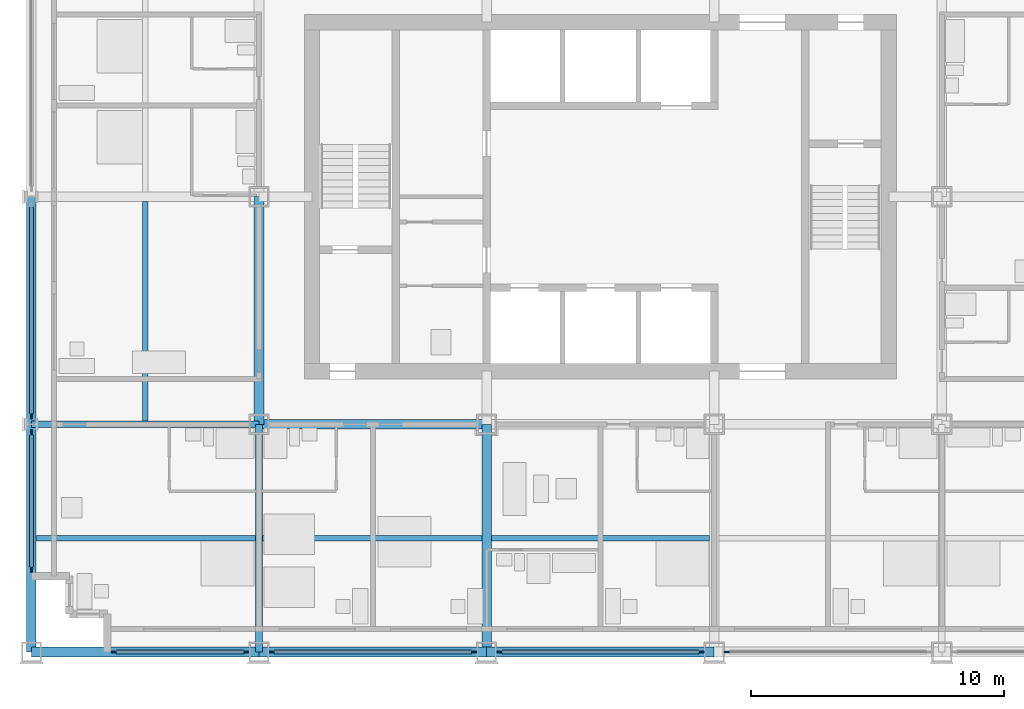
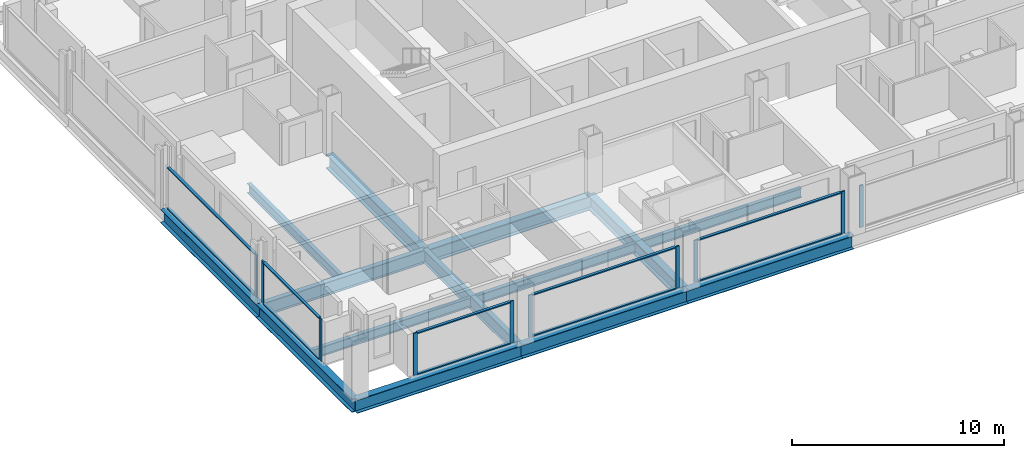
# One storey, part 2 of 16: 20 members, 14 beams, 6 elements without a shape of their own.
"""IFC4 building model written with IfcOpenShell, lengths in metres."""

from ifc_helpers import new_model, si_unit, direction, frame, origin, origin_2d, place, context, subcontext, project, spatial, rectangle, i_section, extrude, material, material_profile, profile_set, type_object, element, aggregate, save


model = new_model("IFC4")

# Units and contexts
model_context = context("Model", 3, precision=1e-05, world=origin(), true_north=direction((0.0, 1.0)))
body_context = subcontext(model_context, "Body", "Model", "MODEL_VIEW")
ifc_project = project(units=[si_unit("LENGTHUNIT", "METRE"), si_unit("AREAUNIT", "SQUARE_METRE"), si_unit("VOLUMEUNIT", "CUBIC_METRE"), si_unit("PLANEANGLEUNIT", "RADIAN"), si_unit("MASSUNIT", "GRAM", prefix="KILO")], contexts=[model_context])

# Site, building, storey
site_placement = place(None, origin())
site = spatial("IfcSite", under=ifc_project, at=site_placement, CompositionType="ELEMENT")
building_placement = place(site_placement, origin())
building = spatial("IfcBuilding", under=site, at=building_placement, Name="Loomwork Tower", CompositionType="ELEMENT")
storey_placement = place(building_placement, frame((0.0, 0.0, 124.800048828125)))
storey = spatial("IfcBuildingStorey", under=building, at=storey_placement, Name="L33", CompositionType="ELEMENT", Elevation=124.800048828125)

# Beams
ifc_material_1 = material(Name="Steel ASTM A992", Category="steel")
ifc_material_profile_1 = material_profile(ifc_material_1, i_section(OverallWidth=0.383544921875, OverallDepth=0.794921875, WebThickness=0.02099609375, FlangeThickness=0.0380859375, at=origin_2d()), Name="W30x235")
ifc_profile_set_1 = profile_set([ifc_material_profile_1], Name="Steel ASTM A992")
beam_type_1 = type_object("IfcBeamType", Name="CORE FLANK GIRDER W30x235", PredefinedType="BEAM", material=ifc_profile_set_1)
for number, where, z_axis, x_axis, name in (
    (1, (9.0, 9.0, -0.59765625), (1.0, 0.0, 0.0), (0.0, 1.0, 0.0), "Core Flank Girder E/3-E/4 L33"),
    (2, (9.0, 9.0, -0.59765625), (0.0, 1.0, 0.0), (-1.0, 0.0, 0.0), "Core Flank Girder E/3-F/3 L33"),
    (3, (18.0, 0.0, -0.59765625), (0.0, 1.0, 0.0), (-1.0, 0.0, 0.0), "Core Flank Girder D/4-E/4 L33"),
):
    element("IfcBeam", number, at=place(storey_placement, frame(where, z_axis=z_axis, x_axis=x_axis)), inside=storey, type_object=beam_type_1, Name=name, PredefinedType="BEAM", context=body_context, shape_type="SweptSolid", body=[
        extrude(i_section(OverallWidth=0.383544921875, OverallDepth=0.794921875, WebThickness=0.02099609375, FlangeThickness=0.0380859375, at=origin_2d()), origin(), (0.0, 0.0, 1.0), 9.0),
    ])
ifc_material_2 = material(Name="Steel ASTM A992", Category="steel")
ifc_material_profile_2 = material_profile(ifc_material_2, i_section(OverallWidth=0.2666015625, OverallDepth=0.761962890625, WebThickness=0.014404296875, FlangeThickness=0.021484375, at=origin_2d()), Name="W30x116")
ifc_profile_set_2 = profile_set([ifc_material_profile_2], Name="Steel ASTM A992")
beam_type_2 = type_object("IfcBeamType", Name="FLOOR GIRDER W30x116", PredefinedType="BEAM", material=ifc_profile_set_2)
for number, where, z_axis, x_axis, name in (
    (4, (0.0, 9.0, -0.5810546875), (1.0, 0.0, 0.0), (0.0, 1.0, 0.0), "Floor Girder E/2-E/3 L33"),
    (5, (9.0, 0.0, -0.5810546875), (0.0, 1.0, 0.0), (-1.0, 0.0, 0.0), "Floor Girder D/3-E/3 L33"),
):
    element("IfcBeam", number, at=place(storey_placement, frame(where, z_axis=z_axis, x_axis=x_axis)), inside=storey, type_object=beam_type_2, Name=name, PredefinedType="BEAM", context=body_context, shape_type="SweptSolid", body=[
        extrude(i_section(OverallWidth=0.2666015625, OverallDepth=0.761962890625, WebThickness=0.014404296875, FlangeThickness=0.021484375, at=origin_2d()), origin(), (0.0, 0.0, 1.0), 9.0),
    ])
ifc_material_3 = material(Name="Steel ASTM A992", Category="steel")
ifc_material_profile_3 = material_profile(ifc_material_3, i_section(OverallWidth=0.2109375, OverallDepth=0.53857421875, WebThickness=0.011474609375, FlangeThickness=0.018798828125, at=origin_2d()), Name="W21x73")
ifc_profile_set_3 = profile_set([ifc_material_profile_3], Name="Steel ASTM A992")
beam_type_3 = type_object("IfcBeamType", Name="FLOOR JOIST W21x73", PredefinedType="JOIST", material=ifc_profile_set_3)
beam_1_placement = place(storey_placement, frame((0.18994140625, 4.5, -0.46923828125), z_axis=(1.0, 0.0, 0.0), x_axis=(0.0, 1.0, 0.0)))
element("IfcBeam", 6, at=beam_1_placement, inside=storey, type_object=beam_type_3, Name="Floor Joist 0.000,4.500-9.000,4.500 L33", PredefinedType="JOIST", context=body_context, shape_type="SweptSolid", body=[
    extrude(i_section(OverallWidth=0.2109375, OverallDepth=0.53857421875, WebThickness=0.011474609375, FlangeThickness=0.018798828125, at=origin_2d()), origin(), (0.0, 0.0, 1.0), 8.677001953125),
])
for number, where, z_axis, x_axis, name in (
    (7, (4.5, 9.133056640625, -0.46923828125), (0.0, 1.0, 0.0), (-1.0, 0.0, 0.0), "Floor Joist 4.500,9.000-4.500,18.000 L33"),
    (8, (9.133056640625, 4.5, -0.46923828125), (1.0, 0.0, 0.0), (0.0, 1.0, 0.0), "Floor Joist 9.000,4.500-18.000,4.500 L33"),
):
    element("IfcBeam", number, at=place(storey_placement, frame(where, z_axis=z_axis, x_axis=x_axis)), inside=storey, type_object=beam_type_3, Name=name, PredefinedType="JOIST", context=body_context, shape_type="SweptSolid", body=[
        extrude(i_section(OverallWidth=0.2109375, OverallDepth=0.53857421875, WebThickness=0.011474609375, FlangeThickness=0.018798828125, at=origin_2d()), origin(), (0.0, 0.0, 1.0), 8.676025390625),
    ])
beam_2_placement = place(storey_placement, frame((18.19091796875, 4.5, -0.46923828125), z_axis=(1.0, 0.0, 0.0), x_axis=(0.0, 1.0, 0.0)))
element("IfcBeam", 9, at=beam_2_placement, inside=storey, type_object=beam_type_3, Name="Floor Joist 18.000,4.500-27.000,4.500 L33", PredefinedType="JOIST", context=body_context, shape_type="SweptSolid", body=[
    extrude(i_section(OverallWidth=0.2109375, OverallDepth=0.53857421875, WebThickness=0.011474609375, FlangeThickness=0.018798828125, at=origin_2d()), origin(), (0.0, 0.0, 1.0), 8.6181640625),
])

# Curtain wall, members
ifc_material_4 = material(Name="Aluminium curtain wall frame", Category="aluminium")
curtain_wall_type = type_object("IfcCurtainWallType", Name="Outer skin glazing hotel", PredefinedType="NOTDEFINED", material=ifc_material_4)
curtain_wall_1_placement = place(storey_placement, origin())
curtain_wall_1 = element("IfcCurtainWall", 10, at=curtain_wall_1_placement, inside=storey, type_object=curtain_wall_type, Name="Outer skin glazing hotel cw/S-0", PredefinedType="NOTDEFINED")
ifc_material_5 = material(Name="Aluminium curtain wall frame", Category="aluminium")
ifc_material_profile_4 = material_profile(ifc_material_5, rectangle(XDim=0.06494140625, YDim=0.199951171875, at=origin_2d()), Name="AL 65x200")
ifc_profile_set_4 = profile_set([ifc_material_profile_4], Name="Aluminium curtain wall frame")
member_type_1 = type_object("IfcMemberType", Name="Outer skin glazing hotel mullion", PredefinedType="MULLION", material=ifc_profile_set_4)
member_1_placement = place(storey_placement, frame((3.25, 0.0, 0.0), z_axis=(0.0, 0.0, 1.0), x_axis=(0.0, 1.0, 0.0)))
member_1 = element("IfcMember", 11, at=member_1_placement, type_object=member_type_1, Name="CW1 mullion 1", PredefinedType="MULLION", context=body_context, shape_type="SweptSolid", body=[
    extrude(rectangle(XDim=0.06494140625, YDim=0.199951171875, at=origin_2d()), origin(), (0.0, 0.0, 1.0), 2.420166015625),
])
member_2_placement = place(storey_placement, frame((8.5, 0.0, 0.0), z_axis=(0.0, 0.0, 1.0), x_axis=(0.0, 1.0, 0.0)))
member_2 = element("IfcMember", 12, at=member_2_placement, type_object=member_type_1, Name="CW1 mullion 2", PredefinedType="MULLION", context=body_context, shape_type="SweptSolid", body=[
    extrude(rectangle(XDim=0.06494140625, YDim=0.199951171875, at=origin_2d()), origin(), (0.0, 0.0, 1.0), 2.420166015625),
])

curtain_wall_2_placement = place(storey_placement, origin())
curtain_wall_2 = element("IfcCurtainWall", 13, at=curtain_wall_2_placement, inside=storey, type_object=curtain_wall_type, Name="Outer skin glazing hotel cw/S-9", PredefinedType="NOTDEFINED")
member_3_placement = place(storey_placement, frame((9.5, 0.0, 0.0), z_axis=(0.0, 0.0, 1.0), x_axis=(0.0, 1.0, 0.0)))
member_3 = element("IfcMember", 14, at=member_3_placement, type_object=member_type_1, Name="CW1 mullion 1", PredefinedType="MULLION", context=body_context, shape_type="SweptSolid", body=[
    extrude(rectangle(XDim=0.06494140625, YDim=0.199951171875, at=origin_2d()), origin(), (0.0, 0.0, 1.0), 2.420166015625),
])
member_4_placement = place(storey_placement, frame((17.5, 0.0, 0.0), z_axis=(0.0, 0.0, 1.0), x_axis=(0.0, 1.0, 0.0)))
member_4 = element("IfcMember", 15, at=member_4_placement, type_object=member_type_1, Name="CW1 mullion 2", PredefinedType="MULLION", context=body_context, shape_type="SweptSolid", body=[
    extrude(rectangle(XDim=0.06494140625, YDim=0.199951171875, at=origin_2d()), origin(), (0.0, 0.0, 1.0), 2.420166015625),
])

curtain_wall_3_placement = place(storey_placement, origin())
curtain_wall_3 = element("IfcCurtainWall", 16, at=curtain_wall_3_placement, inside=storey, type_object=curtain_wall_type, Name="Outer skin glazing hotel cw/S-18", PredefinedType="NOTDEFINED")
member_5_placement = place(storey_placement, frame((18.5, 0.0, 0.0), z_axis=(0.0, 0.0, 1.0), x_axis=(0.0, 1.0, 0.0)))
member_5 = element("IfcMember", 17, at=member_5_placement, type_object=member_type_1, Name="CW1 mullion 1", PredefinedType="MULLION", context=body_context, shape_type="SweptSolid", body=[
    extrude(rectangle(XDim=0.06494140625, YDim=0.199951171875, at=origin_2d()), origin(), (0.0, 0.0, 1.0), 2.420166015625),
])
member_6_placement = place(storey_placement, frame((26.5, 0.0, 0.0), z_axis=(0.0, 0.0, 1.0), x_axis=(0.0, 1.0, 0.0)))
member_6 = element("IfcMember", 18, at=member_6_placement, type_object=member_type_1, Name="CW1 mullion 2", PredefinedType="MULLION", context=body_context, shape_type="SweptSolid", body=[
    extrude(rectangle(XDim=0.06494140625, YDim=0.199951171875, at=origin_2d()), origin(), (0.0, 0.0, 1.0), 2.420166015625),
])

# Curtain wall, member
curtain_wall_4_placement = place(storey_placement, origin())
curtain_wall_4 = element("IfcCurtainWall", 19, at=curtain_wall_4_placement, inside=storey, type_object=curtain_wall_type, Name="Outer skin glazing hotel cw/S-27", PredefinedType="NOTDEFINED")
member_7_placement = place(storey_placement, frame((27.5, 0.0, 0.0), z_axis=(0.0, 0.0, 1.0), x_axis=(0.0, 1.0, 0.0)))
member_7 = element("IfcMember", 20, at=member_7_placement, type_object=member_type_1, Name="CW1 mullion 1", PredefinedType="MULLION", context=body_context, shape_type="SweptSolid", body=[
    extrude(rectangle(XDim=0.06494140625, YDim=0.199951171875, at=origin_2d()), origin(), (0.0, 0.0, 1.0), 2.420166015625),
])
aggregate(curtain_wall_4, [member_7])

# Curtain wall, members
curtain_wall_5_placement = place(storey_placement, origin())
curtain_wall_5 = element("IfcCurtainWall", 21, at=curtain_wall_5_placement, inside=storey, type_object=curtain_wall_type, Name="Outer skin glazing hotel cw/W-0", PredefinedType="NOTDEFINED")
member_8_placement = place(storey_placement, frame((0.0, 8.678955078125, 0.0), z_axis=(0.0, 0.0, 1.0), x_axis=(1.0, 0.0, 0.0)))
member_8 = element("IfcMember", 22, at=member_8_placement, type_object=member_type_1, Name="CW1 mullion 1", PredefinedType="MULLION", context=body_context, shape_type="SweptSolid", body=[
    extrude(rectangle(XDim=0.06494140625, YDim=0.199951171875, at=origin_2d()), origin(), (0.0, 0.0, 1.0), 2.420166015625),
])
member_9_placement = place(storey_placement, frame((0.0, 3.25, 0.0), z_axis=(0.0, 0.0, 1.0), x_axis=(1.0, 0.0, 0.0)))
member_9 = element("IfcMember", 23, at=member_9_placement, type_object=member_type_1, Name="CW1 mullion 2", PredefinedType="MULLION", context=body_context, shape_type="SweptSolid", body=[
    extrude(rectangle(XDim=0.06494140625, YDim=0.199951171875, at=origin_2d()), origin(), (0.0, 0.0, 1.0), 2.420166015625),
])

# Curtain wall, member
curtain_wall_6_placement = place(storey_placement, origin())
curtain_wall_6 = element("IfcCurtainWall", 24, at=curtain_wall_6_placement, inside=storey, type_object=curtain_wall_type, Name="Outer skin glazing hotel cw/W-9", PredefinedType="NOTDEFINED")
member_10_placement = place(storey_placement, frame((0.0, 9.321044921875, 0.0), z_axis=(0.0, 0.0, 1.0), x_axis=(1.0, 0.0, 0.0)))
member_10 = element("IfcMember", 25, at=member_10_placement, type_object=member_type_1, Name="CW1 mullion 2", PredefinedType="MULLION", context=body_context, shape_type="SweptSolid", body=[
    extrude(rectangle(XDim=0.06494140625, YDim=0.199951171875, at=origin_2d()), origin(), (0.0, 0.0, 1.0), 2.420166015625),
])

# Member
ifc_material_6 = material(Name="Aluminium curtain wall frame", Category="aluminium")
ifc_material_profile_5 = material_profile(ifc_material_6, rectangle(XDim=0.14990234375, YDim=0.06494140625, at=origin_2d()), Name="AL 65x150")
ifc_profile_set_5 = profile_set([ifc_material_profile_5], Name="Aluminium curtain wall frame")
member_type_2 = type_object("IfcMemberType", Name="Outer skin glazing hotel transom", PredefinedType="USERDEFINED", material=ifc_profile_set_5)
member_11_placement = place(storey_placement, frame((3.35009765625, 0.0, 0.032470703125), z_axis=(1.0, 0.0, 0.0), x_axis=(0.0, 1.0, 0.0)))
member_11 = element("IfcMember", 26, at=member_11_placement, type_object=member_type_2, Name="CW1 transom 1.1", ObjectType="TRANSOM", PredefinedType="USERDEFINED", context=body_context, shape_type="SweptSolid", body=[
    extrude(rectangle(XDim=0.14990234375, YDim=0.06494140625, at=origin_2d()), origin(), (0.0, 0.0, 1.0), 5.0498046875),
])

member_12_placement = place(storey_placement, frame((3.35009765625, 0.0, 2.3876953125), z_axis=(1.0, 0.0, 0.0), x_axis=(0.0, 1.0, 0.0)))
member_12 = element("IfcMember", 27, at=member_12_placement, type_object=member_type_2, Name="CW1 transom 1.2", ObjectType="TRANSOM", PredefinedType="USERDEFINED", context=body_context, shape_type="SweptSolid", body=[
    extrude(rectangle(XDim=0.14990234375, YDim=0.06494140625, at=origin_2d()), origin(), (0.0, 0.0, 1.0), 5.0498046875),
])

aggregate(curtain_wall_1, [member_1, member_2, member_11, member_12])

member_13_placement = place(storey_placement, frame((9.60009765625, 0.0, 0.032470703125), z_axis=(1.0, 0.0, 0.0), x_axis=(0.0, 1.0, 0.0)))
member_13 = element("IfcMember", 28, at=member_13_placement, type_object=member_type_2, Name="CW1 transom 1.1", ObjectType="TRANSOM", PredefinedType="USERDEFINED", context=body_context, shape_type="SweptSolid", body=[
    extrude(rectangle(XDim=0.14990234375, YDim=0.06494140625, at=origin_2d()), origin(), (0.0, 0.0, 1.0), 7.7998046875),
])

member_14_placement = place(storey_placement, frame((9.60009765625, 0.0, 2.3876953125), z_axis=(1.0, 0.0, 0.0), x_axis=(0.0, 1.0, 0.0)))
member_14 = element("IfcMember", 29, at=member_14_placement, type_object=member_type_2, Name="CW1 transom 1.2", ObjectType="TRANSOM", PredefinedType="USERDEFINED", context=body_context, shape_type="SweptSolid", body=[
    extrude(rectangle(XDim=0.14990234375, YDim=0.06494140625, at=origin_2d()), origin(), (0.0, 0.0, 1.0), 7.7998046875),
])

aggregate(curtain_wall_2, [member_3, member_4, member_13, member_14])

member_15_placement = place(storey_placement, frame((18.60009765625, 0.0, 0.032470703125), z_axis=(1.0, 0.0, 0.0), x_axis=(0.0, 1.0, 0.0)))
member_15 = element("IfcMember", 30, at=member_15_placement, type_object=member_type_2, Name="CW1 transom 1.1", ObjectType="TRANSOM", PredefinedType="USERDEFINED", context=body_context, shape_type="SweptSolid", body=[
    extrude(rectangle(XDim=0.14990234375, YDim=0.06494140625, at=origin_2d()), origin(), (0.0, 0.0, 1.0), 7.7998046875),
])

member_16_placement = place(storey_placement, frame((18.60009765625, 0.0, 2.3876953125), z_axis=(1.0, 0.0, 0.0), x_axis=(0.0, 1.0, 0.0)))
member_16 = element("IfcMember", 31, at=member_16_placement, type_object=member_type_2, Name="CW1 transom 1.2", ObjectType="TRANSOM", PredefinedType="USERDEFINED", context=body_context, shape_type="SweptSolid", body=[
    extrude(rectangle(XDim=0.14990234375, YDim=0.06494140625, at=origin_2d()), origin(), (0.0, 0.0, 1.0), 7.7998046875),
])

aggregate(curtain_wall_3, [member_5, member_6, member_15, member_16])

member_17_placement = place(storey_placement, frame((0.0, 8.5791015625, 0.032470703125), z_axis=(0.0, -1.0, 0.0), x_axis=(1.0, 0.0, 0.0)))
member_17 = element("IfcMember", 32, at=member_17_placement, type_object=member_type_2, Name="CW1 transom 1.1", ObjectType="TRANSOM", PredefinedType="USERDEFINED", context=body_context, shape_type="SweptSolid", body=[
    extrude(rectangle(XDim=0.14990234375, YDim=0.06494140625, at=origin_2d()), origin(), (0.0, 0.0, 1.0), 5.22900390625),
])

member_18_placement = place(storey_placement, frame((0.0, 8.5791015625, 2.3876953125), z_axis=(0.0, -1.0, 0.0), x_axis=(1.0, 0.0, 0.0)))
member_18 = element("IfcMember", 33, at=member_18_placement, type_object=member_type_2, Name="CW1 transom 1.2", ObjectType="TRANSOM", PredefinedType="USERDEFINED", context=body_context, shape_type="SweptSolid", body=[
    extrude(rectangle(XDim=0.14990234375, YDim=0.06494140625, at=origin_2d()), origin(), (0.0, 0.0, 1.0), 5.22900390625),
])

aggregate(curtain_wall_5, [member_8, member_9, member_17, member_18])

member_19_placement = place(storey_placement, frame((0.0, 17.5791015625, 0.032470703125), z_axis=(0.0, -1.0, 0.0), x_axis=(1.0, 0.0, 0.0)))
member_19 = element("IfcMember", 34, at=member_19_placement, type_object=member_type_2, Name="CW1 transom 1.1", ObjectType="TRANSOM", PredefinedType="USERDEFINED", context=body_context, shape_type="SweptSolid", body=[
    extrude(rectangle(XDim=0.14990234375, YDim=0.06494140625, at=origin_2d()), origin(), (0.0, 0.0, 1.0), 8.158203125),
])

member_20_placement = place(storey_placement, frame((0.0, 17.5791015625, 2.3876953125), z_axis=(0.0, -1.0, 0.0), x_axis=(1.0, 0.0, 0.0)))
member_20 = element("IfcMember", 35, at=member_20_placement, type_object=member_type_2, Name="CW1 transom 1.2", ObjectType="TRANSOM", PredefinedType="USERDEFINED", context=body_context, shape_type="SweptSolid", body=[
    extrude(rectangle(XDim=0.14990234375, YDim=0.06494140625, at=origin_2d()), origin(), (0.0, 0.0, 1.0), 8.158203125),
])

aggregate(curtain_wall_6, [member_10, member_19, member_20])

# Beams
ifc_material_7 = material(Name="Steel ASTM A992", Category="steel")
ifc_material_profile_6 = material_profile(ifc_material_7, i_section(OverallWidth=0.381103515625, OverallDepth=0.77978515625, WebThickness=0.01806640625, FlangeThickness=0.0302734375, at=origin_2d()), Name="W30x191")
ifc_profile_set_6 = profile_set([ifc_material_profile_6], Name="Steel ASTM A992")
beam_type_4 = type_object("IfcBeamType", Name="SPANDREL GIRDER W30x191", PredefinedType="SPANDREL", material=ifc_profile_set_6)
for number, where, z_axis, x_axis, name in (
    (36, (0.0, 0.0, -0.58984375), (1.0, 0.0, 0.0), (0.0, 1.0, 0.0), "Spandrel Girder D/2-D/3 L33"),
    (37, (9.0, 0.0, -0.58984375), (1.0, 0.0, 0.0), (0.0, 1.0, 0.0), "Spandrel Girder D/3-D/4 L33"),
    (38, (18.0, 0.0, -0.58984375), (1.0, 0.0, 0.0), (0.0, 1.0, 0.0), "Spandrel Girder D/4-D/5 L33"),
    (39, (0.0, 0.0, -0.58984375), (0.0, 1.0, 0.0), (-1.0, 0.0, 0.0), "Spandrel Girder D/2-E/2 L33"),
    (40, (0.0, 9.0, -0.58984375), (0.0, 1.0, 0.0), (-1.0, 0.0, 0.0), "Spandrel Girder E/2-F/2 L33"),
):
    element("IfcBeam", number, at=place(storey_placement, frame(where, z_axis=z_axis, x_axis=x_axis)), inside=storey, type_object=beam_type_4, Name=name, PredefinedType="SPANDREL", context=body_context, shape_type="SweptSolid", body=[
        extrude(i_section(OverallWidth=0.381103515625, OverallDepth=0.77978515625, WebThickness=0.01806640625, FlangeThickness=0.0302734375, at=origin_2d()), origin(), (0.0, 0.0, 1.0), 9.0),
    ])

save(model, "model.ifc")
